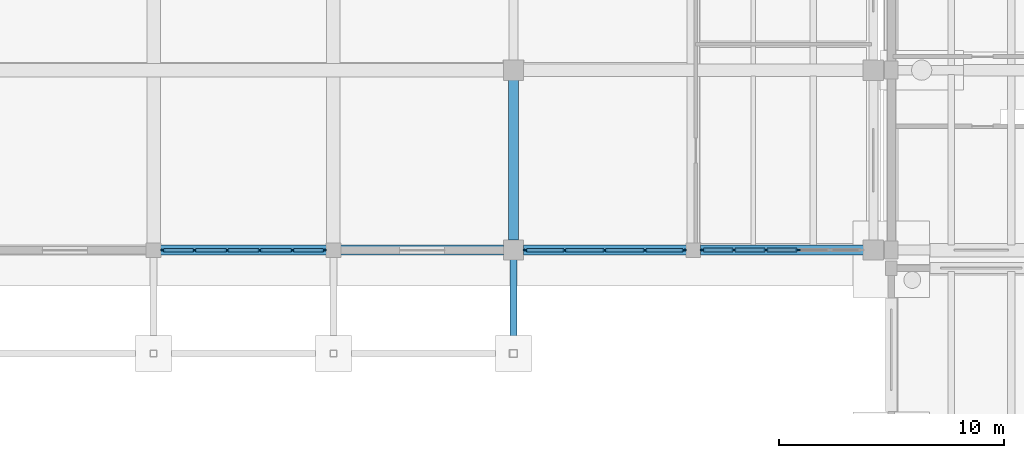
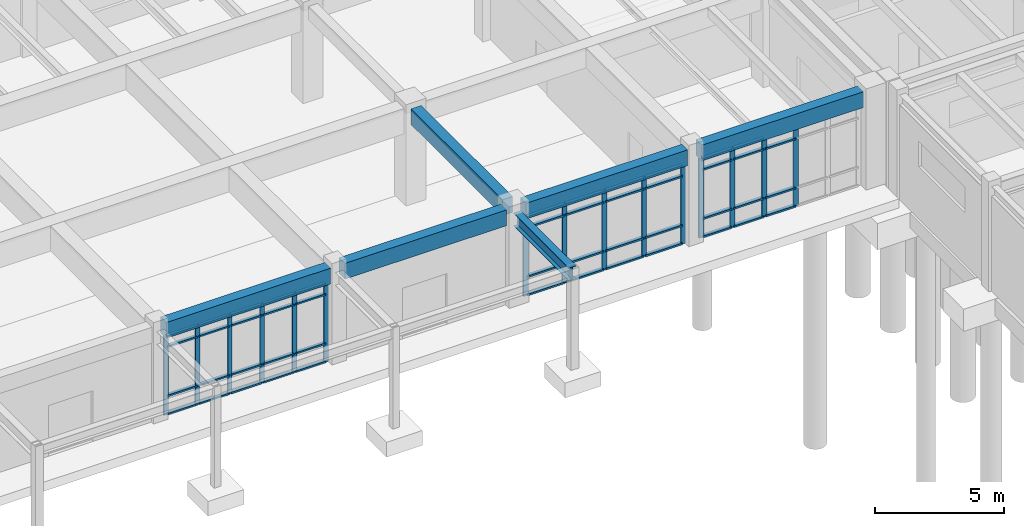
# One storey, part 19 of 64: 62 members, 6 beams, 3 elements without a shape of their own.
"""IFC4 building model written with IfcOpenShell, lengths in metres."""

from ifc_helpers import new_model, si_unit, direction, frame, origin, origin_2d, place, context, subcontext, project, spatial, rectangle, i_section, extrude, material, material_profile, profile_set, type_object, element, aggregate, save


model = new_model("IFC4")

# Units and contexts
model_context = context("Model", 3, precision=1e-05, world=origin(), true_north=direction((0.0, 1.0)))
body_context = subcontext(model_context, "Body", "Model", "MODEL_VIEW")
ifc_project = project(units=[si_unit("LENGTHUNIT", "METRE"), si_unit("AREAUNIT", "SQUARE_METRE"), si_unit("VOLUMEUNIT", "CUBIC_METRE"), si_unit("PLANEANGLEUNIT", "RADIAN"), si_unit("MASSUNIT", "GRAM", prefix="KILO")], contexts=[model_context])

# Site, building, storey
site_placement = place(None, origin())
site = spatial("IfcSite", under=ifc_project, at=site_placement, CompositionType="ELEMENT")
building_placement = place(site_placement, origin())
building = spatial("IfcBuilding", under=site, at=building_placement, Name="Tlaxcora Railside Police Headquarters", CompositionType="ELEMENT")
storey_placement = place(building_placement, origin())
storey = spatial("IfcBuildingStorey", under=building, at=storey_placement, Name="L00", CompositionType="ELEMENT", Elevation=0.0)

# Curtain wall, members
ifc_material_1 = material(Name="Thermally broken low-E insulated glazing", Category="glass")
curtain_wall_type_1 = type_object("IfcCurtainWallType", Name="Unitised Curtain Wall Assembly CW-23", PredefinedType="NOTDEFINED", material=ifc_material_1)
curtain_wall_1_placement = place(storey_placement, origin())
curtain_wall_1 = element("IfcCurtainWall", 1, at=curtain_wall_1_placement, inside=storey, type_object=curtain_wall_type_1, Name="V1 L00 curtain wall 4", PredefinedType="NOTDEFINED")
ifc_material_2 = material(Name="Anodised aluminium framing", Category="aluminium")
ifc_material_profile_1 = material_profile(ifc_material_2, rectangle(XDim=0.080078125, YDim=0.219970703125, at=origin_2d()), Name="AL80X220")
ifc_profile_set_1 = profile_set([ifc_material_profile_1], Name="Anodised aluminium framing")
member_type_1 = type_object("IfcMemberType", Name="Curtain Wall Mullion CW-31", PredefinedType="MULLION", material=ifc_profile_set_1)
member_1_placement = place(storey_placement, frame((94.4150390625, 36.0, 0.0), z_axis=(0.0, 0.0, 1.0), x_axis=(0.0, 1.0, 0.0)))
member_1 = element("IfcMember", 2, at=member_1_placement, type_object=member_type_1, Name="CW mullion 1", PredefinedType="MULLION", context=body_context, shape_type="SweptSolid", body=[
    extrude(rectangle(XDim=0.080078125, YDim=0.219970703125, at=origin_2d()), origin(), (0.0, 0.0, 1.0), 3.760009765625),
])
member_2_placement = place(storey_placement, frame((95.800048828125, 36.0, 0.0), z_axis=(0.0, 0.0, 1.0), x_axis=(0.0, 1.0, 0.0)))
member_2 = element("IfcMember", 3, at=member_2_placement, type_object=member_type_1, Name="CW mullion 2", PredefinedType="MULLION", context=body_context, shape_type="SweptSolid", body=[
    extrude(rectangle(XDim=0.080078125, YDim=0.219970703125, at=origin_2d()), origin(), (0.0, 0.0, 1.0), 3.760009765625),
])
member_3_placement = place(storey_placement, frame((97.22509765625, 36.0, 0.0), z_axis=(0.0, 0.0, 1.0), x_axis=(0.0, 1.0, 0.0)))
member_3 = element("IfcMember", 4, at=member_3_placement, type_object=member_type_1, Name="CW mullion 3", PredefinedType="MULLION", context=body_context, shape_type="SweptSolid", body=[
    extrude(rectangle(XDim=0.080078125, YDim=0.219970703125, at=origin_2d()), origin(), (0.0, 0.0, 1.0), 3.760009765625),
])
member_4_placement = place(storey_placement, frame((98.64990234375, 36.0, 0.0), z_axis=(0.0, 0.0, 1.0), x_axis=(0.0, 1.0, 0.0)))
member_4 = element("IfcMember", 5, at=member_4_placement, type_object=member_type_1, Name="CW mullion 4", PredefinedType="MULLION", context=body_context, shape_type="SweptSolid", body=[
    extrude(rectangle(XDim=0.080078125, YDim=0.219970703125, at=origin_2d()), origin(), (0.0, 0.0, 1.0), 3.760009765625),
])

curtain_wall_type_2 = type_object("IfcCurtainWallType", Name="Unitised Curtain Wall Assembly CW-15", PredefinedType="NOTDEFINED", material=ifc_material_1)
curtain_wall_2_placement = place(storey_placement, origin())
curtain_wall_2 = element("IfcCurtainWall", 6, at=curtain_wall_2_placement, inside=storey, type_object=curtain_wall_type_2, Name="V1 L00 curtain wall 2", PredefinedType="NOTDEFINED")
ifc_material_profile_2 = material_profile(ifc_material_2, rectangle(XDim=0.074951171875, YDim=0.199951171875, at=origin_2d()), Name="AL75X200")
ifc_profile_set_2 = profile_set([ifc_material_profile_2], Name="Anodised aluminium framing")
member_type_2 = type_object("IfcMemberType", Name="Curtain Wall Mullion CW-58", PredefinedType="MULLION", material=ifc_profile_set_2)
member_5_placement = place(storey_placement, frame((70.41259765625, 36.0, 0.0), z_axis=(0.0, 0.0, 1.0), x_axis=(0.0, 1.0, 0.0)))
member_5 = element("IfcMember", 7, at=member_5_placement, type_object=member_type_2, Name="CW mullion 1", PredefinedType="MULLION", context=body_context, shape_type="SweptSolid", body=[
    extrude(rectangle(XDim=0.074951171875, YDim=0.199951171875, at=origin_2d()), origin(), (0.0, 0.0, 1.0), 3.760009765625),
])
member_6_placement = place(storey_placement, frame((71.824951171875, 36.0, 0.0), z_axis=(0.0, 0.0, 1.0), x_axis=(0.0, 1.0, 0.0)))
member_6 = element("IfcMember", 8, at=member_6_placement, type_object=member_type_2, Name="CW mullion 2", PredefinedType="MULLION", context=body_context, shape_type="SweptSolid", body=[
    extrude(rectangle(XDim=0.074951171875, YDim=0.199951171875, at=origin_2d()), origin(), (0.0, 0.0, 1.0), 3.760009765625),
])
member_7_placement = place(storey_placement, frame((73.27490234375, 36.0, 0.0), z_axis=(0.0, 0.0, 1.0), x_axis=(0.0, 1.0, 0.0)))
member_7 = element("IfcMember", 9, at=member_7_placement, type_object=member_type_2, Name="CW mullion 3", PredefinedType="MULLION", context=body_context, shape_type="SweptSolid", body=[
    extrude(rectangle(XDim=0.074951171875, YDim=0.199951171875, at=origin_2d()), origin(), (0.0, 0.0, 1.0), 3.760009765625),
])
member_8_placement = place(storey_placement, frame((74.72509765625, 36.0, 0.0), z_axis=(0.0, 0.0, 1.0), x_axis=(0.0, 1.0, 0.0)))
member_8 = element("IfcMember", 10, at=member_8_placement, type_object=member_type_2, Name="CW mullion 4", PredefinedType="MULLION", context=body_context, shape_type="SweptSolid", body=[
    extrude(rectangle(XDim=0.074951171875, YDim=0.199951171875, at=origin_2d()), origin(), (0.0, 0.0, 1.0), 3.760009765625),
])
member_9_placement = place(storey_placement, frame((76.175048828125, 36.0, 0.0), z_axis=(0.0, 0.0, 1.0), x_axis=(0.0, 1.0, 0.0)))
member_9 = element("IfcMember", 11, at=member_9_placement, type_object=member_type_2, Name="CW mullion 5", PredefinedType="MULLION", context=body_context, shape_type="SweptSolid", body=[
    extrude(rectangle(XDim=0.074951171875, YDim=0.199951171875, at=origin_2d()), origin(), (0.0, 0.0, 1.0), 3.760009765625),
])
member_10_placement = place(storey_placement, frame((77.58740234375, 36.0, 0.0), z_axis=(0.0, 0.0, 1.0), x_axis=(0.0, 1.0, 0.0)))
member_10 = element("IfcMember", 12, at=member_10_placement, type_object=member_type_2, Name="CW mullion 6", PredefinedType="MULLION", context=body_context, shape_type="SweptSolid", body=[
    extrude(rectangle(XDim=0.074951171875, YDim=0.199951171875, at=origin_2d()), origin(), (0.0, 0.0, 1.0), 3.760009765625),
])

curtain_wall_type_3 = type_object("IfcCurtainWallType", Name="Unitised Curtain Wall Assembly CW-83", PredefinedType="NOTDEFINED", material=ifc_material_1)
curtain_wall_3_placement = place(storey_placement, origin())
curtain_wall_3 = element("IfcCurtainWall", 13, at=curtain_wall_3_placement, inside=storey, type_object=curtain_wall_type_3, Name="V1 L00 curtain wall 3", PredefinedType="NOTDEFINED")
ifc_material_profile_3 = material_profile(ifc_material_2, rectangle(XDim=0.080078125, YDim=0.2099609375, at=origin_2d()), Name="AL80X210")
ifc_profile_set_3 = profile_set([ifc_material_profile_3], Name="Anodised aluminium framing")
member_type_3 = type_object("IfcMemberType", Name="Curtain Wall Mullion CW-76", PredefinedType="MULLION", material=ifc_profile_set_3)
member_11_placement = place(storey_placement, frame((86.5400390625, 36.0, 0.0), z_axis=(0.0, 0.0, 1.0), x_axis=(0.0, 1.0, 0.0)))
member_11 = element("IfcMember", 14, at=member_11_placement, type_object=member_type_3, Name="CW mullion 1", PredefinedType="MULLION", context=body_context, shape_type="SweptSolid", body=[
    extrude(rectangle(XDim=0.080078125, YDim=0.2099609375, at=origin_2d()), origin(), (0.0, 0.0, 1.0), 3.760009765625),
])
member_12_placement = place(storey_placement, frame((88.28125, 36.0, 0.0), z_axis=(0.0, 0.0, 1.0), x_axis=(0.0, 1.0, 0.0)))
member_12 = element("IfcMember", 15, at=member_12_placement, type_object=member_type_3, Name="CW mullion 2", PredefinedType="MULLION", context=body_context, shape_type="SweptSolid", body=[
    extrude(rectangle(XDim=0.080078125, YDim=0.2099609375, at=origin_2d()), origin(), (0.0, 0.0, 1.0), 3.760009765625),
])
member_13_placement = place(storey_placement, frame((90.0625, 36.0, 0.0), z_axis=(0.0, 0.0, 1.0), x_axis=(0.0, 1.0, 0.0)))
member_13 = element("IfcMember", 16, at=member_13_placement, type_object=member_type_3, Name="CW mullion 3", PredefinedType="MULLION", context=body_context, shape_type="SweptSolid", body=[
    extrude(rectangle(XDim=0.080078125, YDim=0.2099609375, at=origin_2d()), origin(), (0.0, 0.0, 1.0), 3.760009765625),
])
member_14_placement = place(storey_placement, frame((91.84375, 36.0, 0.0), z_axis=(0.0, 0.0, 1.0), x_axis=(0.0, 1.0, 0.0)))
member_14 = element("IfcMember", 17, at=member_14_placement, type_object=member_type_3, Name="CW mullion 4", PredefinedType="MULLION", context=body_context, shape_type="SweptSolid", body=[
    extrude(rectangle(XDim=0.080078125, YDim=0.2099609375, at=origin_2d()), origin(), (0.0, 0.0, 1.0), 3.760009765625),
])
member_15_placement = place(storey_placement, frame((93.5849609375, 36.0, 0.0), z_axis=(0.0, 0.0, 1.0), x_axis=(0.0, 1.0, 0.0)))
member_15 = element("IfcMember", 18, at=member_15_placement, type_object=member_type_3, Name="CW mullion 5", PredefinedType="MULLION", context=body_context, shape_type="SweptSolid", body=[
    extrude(rectangle(XDim=0.080078125, YDim=0.2099609375, at=origin_2d()), origin(), (0.0, 0.0, 1.0), 3.760009765625),
])

# Member
ifc_material_profile_4 = material_profile(ifc_material_2, rectangle(XDim=0.14990234375, YDim=0.074951171875, at=origin_2d()), Name="AL75X150")
ifc_profile_set_4 = profile_set([ifc_material_profile_4], Name="Anodised aluminium framing")
member_type_4 = type_object("IfcMemberType", Name="Curtain Wall Transom CW-28", PredefinedType="USERDEFINED", material=ifc_profile_set_4)
member_16_placement = place(storey_placement, frame((70.449951171875, 36.0, 0.03759765625), z_axis=(1.0, 0.0, 0.0), x_axis=(0.0, 1.0, 0.0)))
member_16 = element("IfcMember", 19, at=member_16_placement, type_object=member_type_4, Name="CW transom 1.1", ObjectType="TRANSOM", PredefinedType="USERDEFINED", context=body_context, shape_type="SweptSolid", body=[
    extrude(rectangle(XDim=0.14990234375, YDim=0.074951171875, at=origin_2d()), origin(), (0.0, 0.0, 1.0), 1.337646484375),
])

member_17_placement = place(storey_placement, frame((70.449951171875, 36.0, 0.89990234375), z_axis=(1.0, 0.0, 0.0), x_axis=(0.0, 1.0, 0.0)))
member_17 = element("IfcMember", 20, at=member_17_placement, type_object=member_type_4, Name="CW transom 1.2", ObjectType="TRANSOM", PredefinedType="USERDEFINED", context=body_context, shape_type="SweptSolid", body=[
    extrude(rectangle(XDim=0.14990234375, YDim=0.074951171875, at=origin_2d()), origin(), (0.0, 0.0, 1.0), 1.337646484375),
])

member_18_placement = place(storey_placement, frame((70.449951171875, 36.0, 3.22998046875), z_axis=(1.0, 0.0, 0.0), x_axis=(0.0, 1.0, 0.0)))
member_18 = element("IfcMember", 21, at=member_18_placement, type_object=member_type_4, Name="CW transom 1.3", ObjectType="TRANSOM", PredefinedType="USERDEFINED", context=body_context, shape_type="SweptSolid", body=[
    extrude(rectangle(XDim=0.14990234375, YDim=0.074951171875, at=origin_2d()), origin(), (0.0, 0.0, 1.0), 1.337646484375),
])

member_19_placement = place(storey_placement, frame((70.449951171875, 36.0, 3.722412109375), z_axis=(1.0, 0.0, 0.0), x_axis=(0.0, 1.0, 0.0)))
member_19 = element("IfcMember", 22, at=member_19_placement, type_object=member_type_4, Name="CW transom 1.4", ObjectType="TRANSOM", PredefinedType="USERDEFINED", context=body_context, shape_type="SweptSolid", body=[
    extrude(rectangle(XDim=0.14990234375, YDim=0.074951171875, at=origin_2d()), origin(), (0.0, 0.0, 1.0), 1.337646484375),
])

member_20_placement = place(storey_placement, frame((71.862548828125, 36.0, 0.03759765625), z_axis=(1.0, 0.0, 0.0), x_axis=(0.0, 1.0, 0.0)))
member_20 = element("IfcMember", 23, at=member_20_placement, type_object=member_type_4, Name="CW transom 2.1", ObjectType="TRANSOM", PredefinedType="USERDEFINED", context=body_context, shape_type="SweptSolid", body=[
    extrude(rectangle(XDim=0.14990234375, YDim=0.074951171875, at=origin_2d()), origin(), (0.0, 0.0, 1.0), 1.375),
])

member_21_placement = place(storey_placement, frame((71.862548828125, 36.0, 0.89990234375), z_axis=(1.0, 0.0, 0.0), x_axis=(0.0, 1.0, 0.0)))
member_21 = element("IfcMember", 24, at=member_21_placement, type_object=member_type_4, Name="CW transom 2.2", ObjectType="TRANSOM", PredefinedType="USERDEFINED", context=body_context, shape_type="SweptSolid", body=[
    extrude(rectangle(XDim=0.14990234375, YDim=0.074951171875, at=origin_2d()), origin(), (0.0, 0.0, 1.0), 1.375),
])

member_22_placement = place(storey_placement, frame((71.862548828125, 36.0, 3.22998046875), z_axis=(1.0, 0.0, 0.0), x_axis=(0.0, 1.0, 0.0)))
member_22 = element("IfcMember", 25, at=member_22_placement, type_object=member_type_4, Name="CW transom 2.3", ObjectType="TRANSOM", PredefinedType="USERDEFINED", context=body_context, shape_type="SweptSolid", body=[
    extrude(rectangle(XDim=0.14990234375, YDim=0.074951171875, at=origin_2d()), origin(), (0.0, 0.0, 1.0), 1.375),
])

member_23_placement = place(storey_placement, frame((71.862548828125, 36.0, 3.722412109375), z_axis=(1.0, 0.0, 0.0), x_axis=(0.0, 1.0, 0.0)))
member_23 = element("IfcMember", 26, at=member_23_placement, type_object=member_type_4, Name="CW transom 2.4", ObjectType="TRANSOM", PredefinedType="USERDEFINED", context=body_context, shape_type="SweptSolid", body=[
    extrude(rectangle(XDim=0.14990234375, YDim=0.074951171875, at=origin_2d()), origin(), (0.0, 0.0, 1.0), 1.375),
])

member_24_placement = place(storey_placement, frame((73.3125, 36.0, 0.03759765625), z_axis=(1.0, 0.0, 0.0), x_axis=(0.0, 1.0, 0.0)))
member_24 = element("IfcMember", 27, at=member_24_placement, type_object=member_type_4, Name="CW transom 3.1", ObjectType="TRANSOM", PredefinedType="USERDEFINED", context=body_context, shape_type="SweptSolid", body=[
    extrude(rectangle(XDim=0.14990234375, YDim=0.074951171875, at=origin_2d()), origin(), (0.0, 0.0, 1.0), 1.375),
])

member_25_placement = place(storey_placement, frame((73.3125, 36.0, 0.89990234375), z_axis=(1.0, 0.0, 0.0), x_axis=(0.0, 1.0, 0.0)))
member_25 = element("IfcMember", 28, at=member_25_placement, type_object=member_type_4, Name="CW transom 3.2", ObjectType="TRANSOM", PredefinedType="USERDEFINED", context=body_context, shape_type="SweptSolid", body=[
    extrude(rectangle(XDim=0.14990234375, YDim=0.074951171875, at=origin_2d()), origin(), (0.0, 0.0, 1.0), 1.375),
])

member_26_placement = place(storey_placement, frame((73.3125, 36.0, 3.22998046875), z_axis=(1.0, 0.0, 0.0), x_axis=(0.0, 1.0, 0.0)))
member_26 = element("IfcMember", 29, at=member_26_placement, type_object=member_type_4, Name="CW transom 3.3", ObjectType="TRANSOM", PredefinedType="USERDEFINED", context=body_context, shape_type="SweptSolid", body=[
    extrude(rectangle(XDim=0.14990234375, YDim=0.074951171875, at=origin_2d()), origin(), (0.0, 0.0, 1.0), 1.375),
])

member_27_placement = place(storey_placement, frame((73.3125, 36.0, 3.722412109375), z_axis=(1.0, 0.0, 0.0), x_axis=(0.0, 1.0, 0.0)))
member_27 = element("IfcMember", 30, at=member_27_placement, type_object=member_type_4, Name="CW transom 3.4", ObjectType="TRANSOM", PredefinedType="USERDEFINED", context=body_context, shape_type="SweptSolid", body=[
    extrude(rectangle(XDim=0.14990234375, YDim=0.074951171875, at=origin_2d()), origin(), (0.0, 0.0, 1.0), 1.375),
])

member_28_placement = place(storey_placement, frame((74.762451171875, 36.0, 0.03759765625), z_axis=(1.0, 0.0, 0.0), x_axis=(0.0, 1.0, 0.0)))
member_28 = element("IfcMember", 31, at=member_28_placement, type_object=member_type_4, Name="CW transom 4.1", ObjectType="TRANSOM", PredefinedType="USERDEFINED", context=body_context, shape_type="SweptSolid", body=[
    extrude(rectangle(XDim=0.14990234375, YDim=0.074951171875, at=origin_2d()), origin(), (0.0, 0.0, 1.0), 1.375),
])

member_29_placement = place(storey_placement, frame((74.762451171875, 36.0, 0.89990234375), z_axis=(1.0, 0.0, 0.0), x_axis=(0.0, 1.0, 0.0)))
member_29 = element("IfcMember", 32, at=member_29_placement, type_object=member_type_4, Name="CW transom 4.2", ObjectType="TRANSOM", PredefinedType="USERDEFINED", context=body_context, shape_type="SweptSolid", body=[
    extrude(rectangle(XDim=0.14990234375, YDim=0.074951171875, at=origin_2d()), origin(), (0.0, 0.0, 1.0), 1.375),
])

member_30_placement = place(storey_placement, frame((74.762451171875, 36.0, 3.22998046875), z_axis=(1.0, 0.0, 0.0), x_axis=(0.0, 1.0, 0.0)))
member_30 = element("IfcMember", 33, at=member_30_placement, type_object=member_type_4, Name="CW transom 4.3", ObjectType="TRANSOM", PredefinedType="USERDEFINED", context=body_context, shape_type="SweptSolid", body=[
    extrude(rectangle(XDim=0.14990234375, YDim=0.074951171875, at=origin_2d()), origin(), (0.0, 0.0, 1.0), 1.375),
])

member_31_placement = place(storey_placement, frame((74.762451171875, 36.0, 3.722412109375), z_axis=(1.0, 0.0, 0.0), x_axis=(0.0, 1.0, 0.0)))
member_31 = element("IfcMember", 34, at=member_31_placement, type_object=member_type_4, Name="CW transom 4.4", ObjectType="TRANSOM", PredefinedType="USERDEFINED", context=body_context, shape_type="SweptSolid", body=[
    extrude(rectangle(XDim=0.14990234375, YDim=0.074951171875, at=origin_2d()), origin(), (0.0, 0.0, 1.0), 1.375),
])

member_32_placement = place(storey_placement, frame((76.21240234375, 36.0, 0.03759765625), z_axis=(1.0, 0.0, 0.0), x_axis=(0.0, 1.0, 0.0)))
member_32 = element("IfcMember", 35, at=member_32_placement, type_object=member_type_4, Name="CW transom 5.1", ObjectType="TRANSOM", PredefinedType="USERDEFINED", context=body_context, shape_type="SweptSolid", body=[
    extrude(rectangle(XDim=0.14990234375, YDim=0.074951171875, at=origin_2d()), origin(), (0.0, 0.0, 1.0), 1.337646484375),
])

member_33_placement = place(storey_placement, frame((76.21240234375, 36.0, 0.89990234375), z_axis=(1.0, 0.0, 0.0), x_axis=(0.0, 1.0, 0.0)))
member_33 = element("IfcMember", 36, at=member_33_placement, type_object=member_type_4, Name="CW transom 5.2", ObjectType="TRANSOM", PredefinedType="USERDEFINED", context=body_context, shape_type="SweptSolid", body=[
    extrude(rectangle(XDim=0.14990234375, YDim=0.074951171875, at=origin_2d()), origin(), (0.0, 0.0, 1.0), 1.337646484375),
])

member_34_placement = place(storey_placement, frame((76.21240234375, 36.0, 3.22998046875), z_axis=(1.0, 0.0, 0.0), x_axis=(0.0, 1.0, 0.0)))
member_34 = element("IfcMember", 37, at=member_34_placement, type_object=member_type_4, Name="CW transom 5.3", ObjectType="TRANSOM", PredefinedType="USERDEFINED", context=body_context, shape_type="SweptSolid", body=[
    extrude(rectangle(XDim=0.14990234375, YDim=0.074951171875, at=origin_2d()), origin(), (0.0, 0.0, 1.0), 1.337646484375),
])

member_35_placement = place(storey_placement, frame((76.21240234375, 36.0, 3.722412109375), z_axis=(1.0, 0.0, 0.0), x_axis=(0.0, 1.0, 0.0)))
member_35 = element("IfcMember", 38, at=member_35_placement, type_object=member_type_4, Name="CW transom 5.4", ObjectType="TRANSOM", PredefinedType="USERDEFINED", context=body_context, shape_type="SweptSolid", body=[
    extrude(rectangle(XDim=0.14990234375, YDim=0.074951171875, at=origin_2d()), origin(), (0.0, 0.0, 1.0), 1.337646484375),
])

aggregate(curtain_wall_2, [member_5, member_6, member_7, member_8, member_9, member_10, member_16, member_17, member_18, member_19, member_20, member_21, member_22, member_23, member_24, member_25, member_26, member_27, member_28, member_29, member_30, member_31, member_32, member_33, member_34, member_35])

ifc_material_profile_5 = material_profile(ifc_material_2, rectangle(XDim=0.1650390625, YDim=0.080078125, at=origin_2d()), Name="AL80X165")
ifc_profile_set_5 = profile_set([ifc_material_profile_5], Name="Anodised aluminium framing")
member_type_5 = type_object("IfcMemberType", Name="Curtain Wall Transom CW-62", PredefinedType="USERDEFINED", material=ifc_profile_set_5)
member_36_placement = place(storey_placement, frame((94.455078125, 36.0, 0.0400390625), z_axis=(1.0, 0.0, 0.0), x_axis=(0.0, 1.0, 0.0)))
member_36 = element("IfcMember", 39, at=member_36_placement, type_object=member_type_5, Name="CW transom 1.1", ObjectType="TRANSOM", PredefinedType="USERDEFINED", context=body_context, shape_type="SweptSolid", body=[
    extrude(rectangle(XDim=0.1650390625, YDim=0.080078125, at=origin_2d()), origin(), (0.0, 0.0, 1.0), 1.304931640625),
])

member_37_placement = place(storey_placement, frame((94.455078125, 36.0, 0.89990234375), z_axis=(1.0, 0.0, 0.0), x_axis=(0.0, 1.0, 0.0)))
member_37 = element("IfcMember", 40, at=member_37_placement, type_object=member_type_5, Name="CW transom 1.2", ObjectType="TRANSOM", PredefinedType="USERDEFINED", context=body_context, shape_type="SweptSolid", body=[
    extrude(rectangle(XDim=0.1650390625, YDim=0.080078125, at=origin_2d()), origin(), (0.0, 0.0, 1.0), 1.304931640625),
])

member_38_placement = place(storey_placement, frame((94.455078125, 36.0, 3.22998046875), z_axis=(1.0, 0.0, 0.0), x_axis=(0.0, 1.0, 0.0)))
member_38 = element("IfcMember", 41, at=member_38_placement, type_object=member_type_5, Name="CW transom 1.3", ObjectType="TRANSOM", PredefinedType="USERDEFINED", context=body_context, shape_type="SweptSolid", body=[
    extrude(rectangle(XDim=0.1650390625, YDim=0.080078125, at=origin_2d()), origin(), (0.0, 0.0, 1.0), 1.304931640625),
])

member_39_placement = place(storey_placement, frame((94.455078125, 36.0, 3.719970703125), z_axis=(1.0, 0.0, 0.0), x_axis=(0.0, 1.0, 0.0)))
member_39 = element("IfcMember", 42, at=member_39_placement, type_object=member_type_5, Name="CW transom 1.4", ObjectType="TRANSOM", PredefinedType="USERDEFINED", context=body_context, shape_type="SweptSolid", body=[
    extrude(rectangle(XDim=0.1650390625, YDim=0.080078125, at=origin_2d()), origin(), (0.0, 0.0, 1.0), 1.304931640625),
])

member_40_placement = place(storey_placement, frame((95.840087890625, 36.0, 0.0400390625), z_axis=(1.0, 0.0, 0.0), x_axis=(0.0, 1.0, 0.0)))
member_40 = element("IfcMember", 43, at=member_40_placement, type_object=member_type_5, Name="CW transom 2.1", ObjectType="TRANSOM", PredefinedType="USERDEFINED", context=body_context, shape_type="SweptSolid", body=[
    extrude(rectangle(XDim=0.1650390625, YDim=0.080078125, at=origin_2d()), origin(), (0.0, 0.0, 1.0), 1.344970703125),
])

member_41_placement = place(storey_placement, frame((95.840087890625, 36.0, 0.89990234375), z_axis=(1.0, 0.0, 0.0), x_axis=(0.0, 1.0, 0.0)))
member_41 = element("IfcMember", 44, at=member_41_placement, type_object=member_type_5, Name="CW transom 2.2", ObjectType="TRANSOM", PredefinedType="USERDEFINED", context=body_context, shape_type="SweptSolid", body=[
    extrude(rectangle(XDim=0.1650390625, YDim=0.080078125, at=origin_2d()), origin(), (0.0, 0.0, 1.0), 1.344970703125),
])

member_42_placement = place(storey_placement, frame((95.840087890625, 36.0, 3.22998046875), z_axis=(1.0, 0.0, 0.0), x_axis=(0.0, 1.0, 0.0)))
member_42 = element("IfcMember", 45, at=member_42_placement, type_object=member_type_5, Name="CW transom 2.3", ObjectType="TRANSOM", PredefinedType="USERDEFINED", context=body_context, shape_type="SweptSolid", body=[
    extrude(rectangle(XDim=0.1650390625, YDim=0.080078125, at=origin_2d()), origin(), (0.0, 0.0, 1.0), 1.344970703125),
])

member_43_placement = place(storey_placement, frame((95.840087890625, 36.0, 3.719970703125), z_axis=(1.0, 0.0, 0.0), x_axis=(0.0, 1.0, 0.0)))
member_43 = element("IfcMember", 46, at=member_43_placement, type_object=member_type_5, Name="CW transom 2.4", ObjectType="TRANSOM", PredefinedType="USERDEFINED", context=body_context, shape_type="SweptSolid", body=[
    extrude(rectangle(XDim=0.1650390625, YDim=0.080078125, at=origin_2d()), origin(), (0.0, 0.0, 1.0), 1.344970703125),
])

member_44_placement = place(storey_placement, frame((97.264892578125, 36.0, 0.0400390625), z_axis=(1.0, 0.0, 0.0), x_axis=(0.0, 1.0, 0.0)))
member_44 = element("IfcMember", 47, at=member_44_placement, type_object=member_type_5, Name="CW transom 3.1", ObjectType="TRANSOM", PredefinedType="USERDEFINED", context=body_context, shape_type="SweptSolid", body=[
    extrude(rectangle(XDim=0.1650390625, YDim=0.080078125, at=origin_2d()), origin(), (0.0, 0.0, 1.0), 1.34521484375),
])

member_45_placement = place(storey_placement, frame((97.264892578125, 36.0, 0.89990234375), z_axis=(1.0, 0.0, 0.0), x_axis=(0.0, 1.0, 0.0)))
member_45 = element("IfcMember", 48, at=member_45_placement, type_object=member_type_5, Name="CW transom 3.2", ObjectType="TRANSOM", PredefinedType="USERDEFINED", context=body_context, shape_type="SweptSolid", body=[
    extrude(rectangle(XDim=0.1650390625, YDim=0.080078125, at=origin_2d()), origin(), (0.0, 0.0, 1.0), 1.34521484375),
])

member_46_placement = place(storey_placement, frame((97.264892578125, 36.0, 3.22998046875), z_axis=(1.0, 0.0, 0.0), x_axis=(0.0, 1.0, 0.0)))
member_46 = element("IfcMember", 49, at=member_46_placement, type_object=member_type_5, Name="CW transom 3.3", ObjectType="TRANSOM", PredefinedType="USERDEFINED", context=body_context, shape_type="SweptSolid", body=[
    extrude(rectangle(XDim=0.1650390625, YDim=0.080078125, at=origin_2d()), origin(), (0.0, 0.0, 1.0), 1.34521484375),
])

aggregate(curtain_wall_1, [member_1, member_2, member_3, member_4, member_36, member_37, member_38, member_39, member_40, member_41, member_42, member_43, member_44, member_45, member_46])

ifc_material_profile_6 = material_profile(ifc_material_2, rectangle(XDim=0.159912109375, YDim=0.080078125, at=origin_2d()), Name="AL80X160")
ifc_profile_set_6 = profile_set([ifc_material_profile_6], Name="Anodised aluminium framing")
member_type_6 = type_object("IfcMemberType", Name="Curtain Wall Transom CW-82", PredefinedType="USERDEFINED", material=ifc_profile_set_6)
member_47_placement = place(storey_placement, frame((86.580078125, 36.0, 0.0400390625), z_axis=(1.0, 0.0, 0.0), x_axis=(0.0, 1.0, 0.0)))
member_47 = element("IfcMember", 50, at=member_47_placement, type_object=member_type_6, Name="CW transom 1.1", ObjectType="TRANSOM", PredefinedType="USERDEFINED", context=body_context, shape_type="SweptSolid", body=[
    extrude(rectangle(XDim=0.159912109375, YDim=0.080078125, at=origin_2d()), origin(), (0.0, 0.0, 1.0), 1.6611328125),
])

member_48_placement = place(storey_placement, frame((86.580078125, 36.0, 0.89990234375), z_axis=(1.0, 0.0, 0.0), x_axis=(0.0, 1.0, 0.0)))
member_48 = element("IfcMember", 51, at=member_48_placement, type_object=member_type_6, Name="CW transom 1.2", ObjectType="TRANSOM", PredefinedType="USERDEFINED", context=body_context, shape_type="SweptSolid", body=[
    extrude(rectangle(XDim=0.159912109375, YDim=0.080078125, at=origin_2d()), origin(), (0.0, 0.0, 1.0), 1.6611328125),
])

member_49_placement = place(storey_placement, frame((86.580078125, 36.0, 3.22998046875), z_axis=(1.0, 0.0, 0.0), x_axis=(0.0, 1.0, 0.0)))
member_49 = element("IfcMember", 52, at=member_49_placement, type_object=member_type_6, Name="CW transom 1.3", ObjectType="TRANSOM", PredefinedType="USERDEFINED", context=body_context, shape_type="SweptSolid", body=[
    extrude(rectangle(XDim=0.159912109375, YDim=0.080078125, at=origin_2d()), origin(), (0.0, 0.0, 1.0), 1.6611328125),
])

member_50_placement = place(storey_placement, frame((86.580078125, 36.0, 3.719970703125), z_axis=(1.0, 0.0, 0.0), x_axis=(0.0, 1.0, 0.0)))
member_50 = element("IfcMember", 53, at=member_50_placement, type_object=member_type_6, Name="CW transom 1.4", ObjectType="TRANSOM", PredefinedType="USERDEFINED", context=body_context, shape_type="SweptSolid", body=[
    extrude(rectangle(XDim=0.159912109375, YDim=0.080078125, at=origin_2d()), origin(), (0.0, 0.0, 1.0), 1.6611328125),
])

member_51_placement = place(storey_placement, frame((88.3212890625, 36.0, 0.0400390625), z_axis=(1.0, 0.0, 0.0), x_axis=(0.0, 1.0, 0.0)))
member_51 = element("IfcMember", 54, at=member_51_placement, type_object=member_type_6, Name="CW transom 2.1", ObjectType="TRANSOM", PredefinedType="USERDEFINED", context=body_context, shape_type="SweptSolid", body=[
    extrude(rectangle(XDim=0.159912109375, YDim=0.080078125, at=origin_2d()), origin(), (0.0, 0.0, 1.0), 1.701171875),
])

member_52_placement = place(storey_placement, frame((88.3212890625, 36.0, 0.89990234375), z_axis=(1.0, 0.0, 0.0), x_axis=(0.0, 1.0, 0.0)))
member_52 = element("IfcMember", 55, at=member_52_placement, type_object=member_type_6, Name="CW transom 2.2", ObjectType="TRANSOM", PredefinedType="USERDEFINED", context=body_context, shape_type="SweptSolid", body=[
    extrude(rectangle(XDim=0.159912109375, YDim=0.080078125, at=origin_2d()), origin(), (0.0, 0.0, 1.0), 1.701171875),
])

member_53_placement = place(storey_placement, frame((88.3212890625, 36.0, 3.22998046875), z_axis=(1.0, 0.0, 0.0), x_axis=(0.0, 1.0, 0.0)))
member_53 = element("IfcMember", 56, at=member_53_placement, type_object=member_type_6, Name="CW transom 2.3", ObjectType="TRANSOM", PredefinedType="USERDEFINED", context=body_context, shape_type="SweptSolid", body=[
    extrude(rectangle(XDim=0.159912109375, YDim=0.080078125, at=origin_2d()), origin(), (0.0, 0.0, 1.0), 1.701171875),
])

member_54_placement = place(storey_placement, frame((88.3212890625, 36.0, 3.719970703125), z_axis=(1.0, 0.0, 0.0), x_axis=(0.0, 1.0, 0.0)))
member_54 = element("IfcMember", 57, at=member_54_placement, type_object=member_type_6, Name="CW transom 2.4", ObjectType="TRANSOM", PredefinedType="USERDEFINED", context=body_context, shape_type="SweptSolid", body=[
    extrude(rectangle(XDim=0.159912109375, YDim=0.080078125, at=origin_2d()), origin(), (0.0, 0.0, 1.0), 1.701171875),
])

member_55_placement = place(storey_placement, frame((90.1025390625, 36.0, 0.0400390625), z_axis=(1.0, 0.0, 0.0), x_axis=(0.0, 1.0, 0.0)))
member_55 = element("IfcMember", 58, at=member_55_placement, type_object=member_type_6, Name="CW transom 3.1", ObjectType="TRANSOM", PredefinedType="USERDEFINED", context=body_context, shape_type="SweptSolid", body=[
    extrude(rectangle(XDim=0.159912109375, YDim=0.080078125, at=origin_2d()), origin(), (0.0, 0.0, 1.0), 1.701171875),
])

member_56_placement = place(storey_placement, frame((90.1025390625, 36.0, 0.89990234375), z_axis=(1.0, 0.0, 0.0), x_axis=(0.0, 1.0, 0.0)))
member_56 = element("IfcMember", 59, at=member_56_placement, type_object=member_type_6, Name="CW transom 3.2", ObjectType="TRANSOM", PredefinedType="USERDEFINED", context=body_context, shape_type="SweptSolid", body=[
    extrude(rectangle(XDim=0.159912109375, YDim=0.080078125, at=origin_2d()), origin(), (0.0, 0.0, 1.0), 1.701171875),
])

member_57_placement = place(storey_placement, frame((90.1025390625, 36.0, 3.22998046875), z_axis=(1.0, 0.0, 0.0), x_axis=(0.0, 1.0, 0.0)))
member_57 = element("IfcMember", 60, at=member_57_placement, type_object=member_type_6, Name="CW transom 3.3", ObjectType="TRANSOM", PredefinedType="USERDEFINED", context=body_context, shape_type="SweptSolid", body=[
    extrude(rectangle(XDim=0.159912109375, YDim=0.080078125, at=origin_2d()), origin(), (0.0, 0.0, 1.0), 1.701171875),
])

member_58_placement = place(storey_placement, frame((90.1025390625, 36.0, 3.719970703125), z_axis=(1.0, 0.0, 0.0), x_axis=(0.0, 1.0, 0.0)))
member_58 = element("IfcMember", 61, at=member_58_placement, type_object=member_type_6, Name="CW transom 3.4", ObjectType="TRANSOM", PredefinedType="USERDEFINED", context=body_context, shape_type="SweptSolid", body=[
    extrude(rectangle(XDim=0.159912109375, YDim=0.080078125, at=origin_2d()), origin(), (0.0, 0.0, 1.0), 1.701171875),
])

member_59_placement = place(storey_placement, frame((91.8837890625, 36.0, 0.0400390625), z_axis=(1.0, 0.0, 0.0), x_axis=(0.0, 1.0, 0.0)))
member_59 = element("IfcMember", 62, at=member_59_placement, type_object=member_type_6, Name="CW transom 4.1", ObjectType="TRANSOM", PredefinedType="USERDEFINED", context=body_context, shape_type="SweptSolid", body=[
    extrude(rectangle(XDim=0.159912109375, YDim=0.080078125, at=origin_2d()), origin(), (0.0, 0.0, 1.0), 1.6611328125),
])

member_60_placement = place(storey_placement, frame((91.8837890625, 36.0, 0.89990234375), z_axis=(1.0, 0.0, 0.0), x_axis=(0.0, 1.0, 0.0)))
member_60 = element("IfcMember", 63, at=member_60_placement, type_object=member_type_6, Name="CW transom 4.2", ObjectType="TRANSOM", PredefinedType="USERDEFINED", context=body_context, shape_type="SweptSolid", body=[
    extrude(rectangle(XDim=0.159912109375, YDim=0.080078125, at=origin_2d()), origin(), (0.0, 0.0, 1.0), 1.6611328125),
])

member_61_placement = place(storey_placement, frame((91.8837890625, 36.0, 3.22998046875), z_axis=(1.0, 0.0, 0.0), x_axis=(0.0, 1.0, 0.0)))
member_61 = element("IfcMember", 64, at=member_61_placement, type_object=member_type_6, Name="CW transom 4.3", ObjectType="TRANSOM", PredefinedType="USERDEFINED", context=body_context, shape_type="SweptSolid", body=[
    extrude(rectangle(XDim=0.159912109375, YDim=0.080078125, at=origin_2d()), origin(), (0.0, 0.0, 1.0), 1.6611328125),
])

member_62_placement = place(storey_placement, frame((91.8837890625, 36.0, 3.719970703125), z_axis=(1.0, 0.0, 0.0), x_axis=(0.0, 1.0, 0.0)))
member_62 = element("IfcMember", 65, at=member_62_placement, type_object=member_type_6, Name="CW transom 4.4", ObjectType="TRANSOM", PredefinedType="USERDEFINED", context=body_context, shape_type="SweptSolid", body=[
    extrude(rectangle(XDim=0.159912109375, YDim=0.080078125, at=origin_2d()), origin(), (0.0, 0.0, 1.0), 1.6611328125),
])

aggregate(curtain_wall_3, [member_11, member_12, member_13, member_14, member_15, member_47, member_48, member_49, member_50, member_51, member_52, member_53, member_54, member_55, member_56, member_57, member_58, member_59, member_60, member_61, member_62])

# Beams
ifc_material_3 = material(Name="Concrete C40/50", Category="concrete")
ifc_material_profile_7 = material_profile(ifc_material_3, rectangle(XDim=0.449951171875, YDim=0.75, at=origin_2d()), Name="RC450X750")
ifc_profile_set_7 = profile_set([ifc_material_profile_7], Name="Concrete C40/50")
beam_type_1 = type_object("IfcBeamType", Name="Perimeter Spandrel Beam BM-86", PredefinedType="SPANDREL", material=ifc_profile_set_7)
beam_1_placement = place(storey_placement, frame((70.31494140625, 36.0, 4.155029296875), z_axis=(1.0, 0.0, 0.0), x_axis=(0.0, 1.0, 0.0)))
element("IfcBeam", 66, at=beam_1_placement, inside=storey, type_object=beam_type_1, Name="V1 L00 X-girder Y=36.0", PredefinedType="SPANDREL", context=body_context, shape_type="SweptSolid", body=[
    extrude(rectangle(XDim=0.449951171875, YDim=0.75, at=origin_2d()), origin(), (0.0, 0.0, 1.0), 7.3701171875),
])
for number, where, z_axis, x_axis, name in (
    (67, (78.31494140625, 36.0, 4.155029296875), (1.0, 0.0, 0.0), (0.0, 1.0, 0.0), "V1 L00 X-girder Y=36.0"),
    (68, (86.43994140625, 36.0, 4.155029296875), (1.0, 0.0, 0.0), (0.0, 1.0, 0.0), "V1 L00 X-girder Y=36.0"),
    (69, (94.31494140625, 36.0, 4.155029296875), (1.0, 0.0, 0.0), (0.0, 1.0, 0.0), "V1 L00 X-girder Y=36.0"),
):
    element("IfcBeam", number, at=place(storey_placement, frame(where, z_axis=z_axis, x_axis=x_axis)), inside=storey, type_object=beam_type_1, Name=name, PredefinedType="SPANDREL", context=body_context, shape_type="SweptSolid", body=[
        extrude(rectangle(XDim=0.449951171875, YDim=0.75, at=origin_2d()), origin(), (0.0, 0.0, 1.0), 7.2451171875),
    ])
ifc_material_4 = material(Name="Steel ASTM A992 Grade 50", Category="steel")
ifc_material_profile_8 = material_profile(ifc_material_4, i_section(OverallWidth=0.324951171875, OverallDepth=0.616943359375, WebThickness=0.013916015625, FlangeThickness=0.021484375, at=origin_2d()), Name="W24X117")
ifc_profile_set_8 = profile_set([ifc_material_profile_8], Name="Steel ASTM A992 Grade 50")
beam_type_2 = type_object("IfcBeamType", Name="Primary Frame Girder BM-72", PredefinedType="BEAM", material=ifc_profile_set_8)
beam_2_placement = place(storey_placement, frame((86.0, 31.39990234375, 4.02001953125), z_axis=(0.0, 1.0, 0.0), x_axis=(-1.0, 0.0, 0.0)))
element("IfcBeam", 70, at=beam_2_placement, inside=storey, type_object=beam_type_2, Name="Canopy outrigger girder X=86", PredefinedType="BEAM", context=body_context, shape_type="SweptSolid", body=[
    extrude(i_section(OverallWidth=0.324951171875, OverallDepth=0.616943359375, WebThickness=0.013916015625, FlangeThickness=0.021484375, at=origin_2d()), origin(), (0.0, 0.0, 1.0), 4.300048828125),
])
ifc_material_profile_9 = material_profile(ifc_material_3, rectangle(XDim=0.449951171875, YDim=0.75, at=origin_2d()), Name="RC450X750")
ifc_profile_set_9 = profile_set([ifc_material_profile_9], Name="Concrete C40/50")
beam_type_3 = type_object("IfcBeamType", Name="Primary Frame Girder BM-73", PredefinedType="BEAM", material=ifc_profile_set_9)
beam_3_placement = place(storey_placement, frame((86.0, 36.43994140625, 4.155029296875), z_axis=(0.0, 1.0, 0.0), x_axis=(-1.0, 0.0, 0.0)))
element("IfcBeam", 71, at=beam_3_placement, inside=storey, type_object=beam_type_3, Name="V1 L00 Y-girder X=86.0", PredefinedType="BEAM", context=body_context, shape_type="SweptSolid", body=[
    extrude(rectangle(XDim=0.449951171875, YDim=0.75, at=origin_2d()), origin(), (0.0, 0.0, 1.0), 7.1201171875),
])

save(model, "model.ifc")
